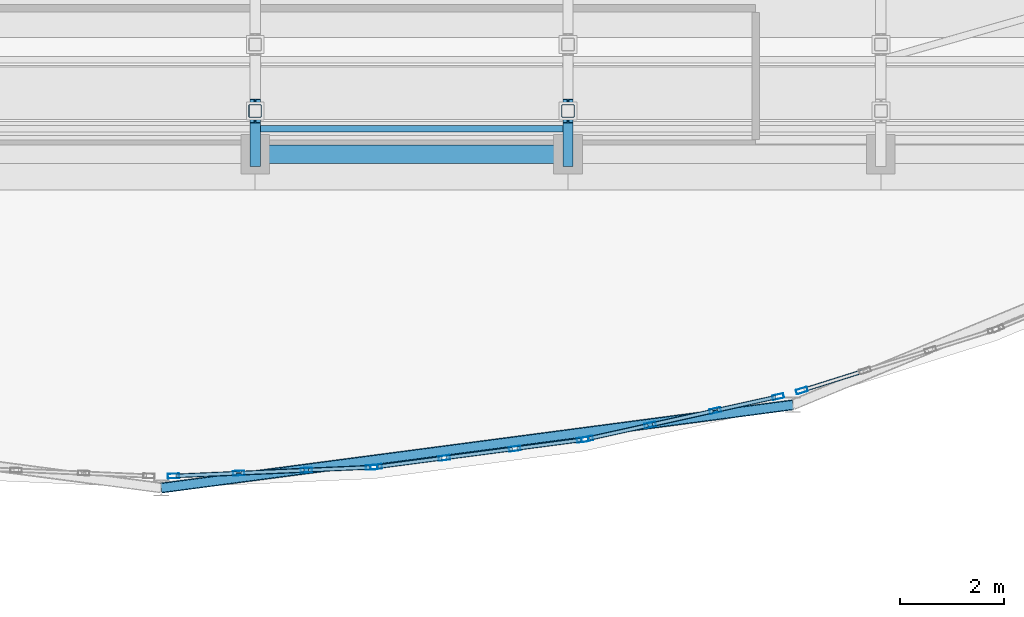
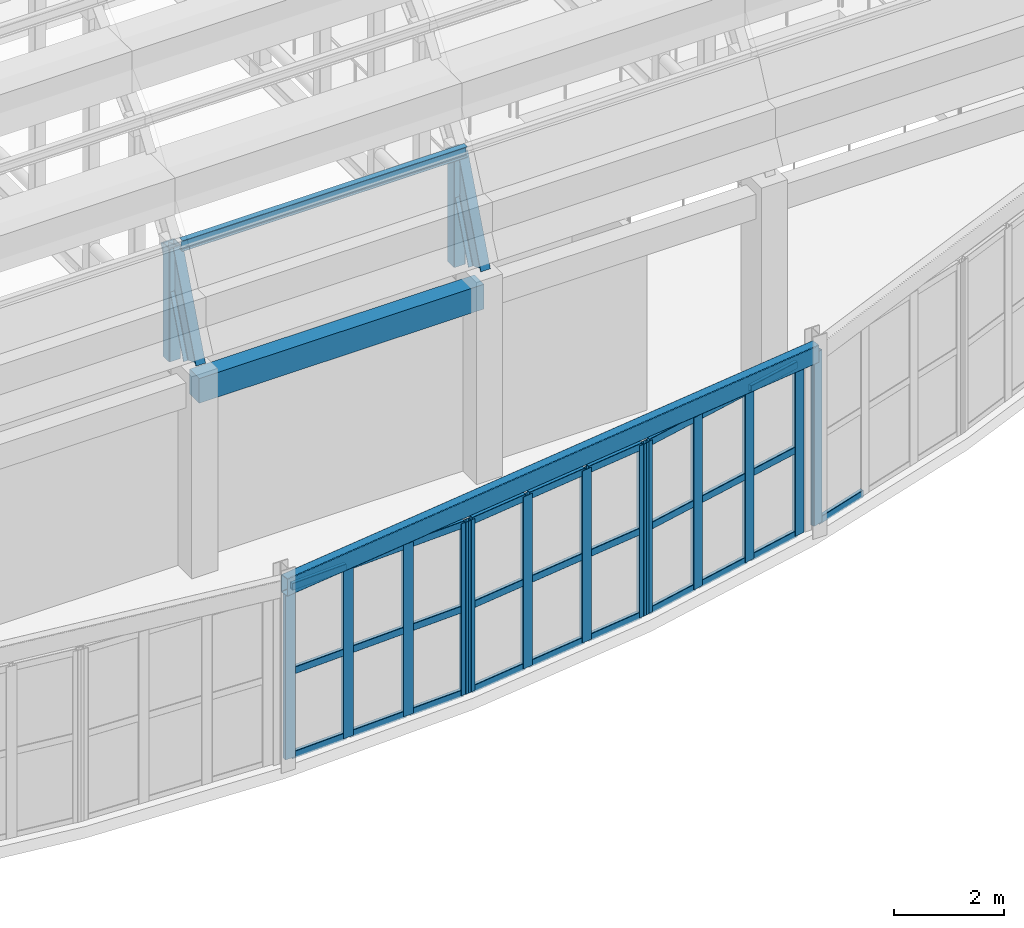
# One storey, part 10 of 91: 44 members, 4 beams, 4 elements without a shape of their own.
"""IFC4 building model written with IfcOpenShell, lengths in metres."""

from ifc_helpers import new_model, si_unit, direction, frame, origin, origin_2d, place, context, subcontext, project, spatial, rectangle, hollow_rectangle, i_section, extrude, material, layer, layer_set, material_profile, profile_set, type_object, element, aggregate, save


model = new_model("IFC4")

# Units and contexts
model_context = context("Model", 3, precision=1e-05, world=origin(), true_north=direction((0.0, 1.0)))
body_context = subcontext(model_context, "Body", "Model", "MODEL_VIEW")
ifc_project = project(units=[si_unit("LENGTHUNIT", "METRE"), si_unit("AREAUNIT", "SQUARE_METRE"), si_unit("VOLUMEUNIT", "CUBIC_METRE"), si_unit("PLANEANGLEUNIT", "RADIAN"), si_unit("MASSUNIT", "GRAM", prefix="KILO")], contexts=[model_context])

# Site, building, storey
site_placement = place(None, origin())
site = spatial("IfcSite", under=ifc_project, at=site_placement, CompositionType="ELEMENT")
building_placement = place(site_placement, origin())
building = spatial("IfcBuilding", under=site, at=building_placement, Name="Tarnavel Promenade Courthouse", CompositionType="ELEMENT")
storey_placement = place(building_placement, frame((0.0, 0.0, 9.89990234375)))
storey = spatial("IfcBuildingStorey", under=building, at=storey_placement, Name="L03", CompositionType="ELEMENT", Elevation=9.89990234375)

# Beams
ifc_material_1 = material(Name="Concrete C40/50", Category="concrete")
ifc_material_profile_1 = material_profile(ifc_material_1, rectangle(XDim=0.35009765625, YDim=0.550048828125, at=origin_2d()), Name="RC 350x550")
ifc_profile_set_1 = profile_set([ifc_material_profile_1], Name="Concrete C40/50")
beam_type_1 = type_object("IfcBeamType", Name="Concrete C40/50 BM-RC-350x550 (RC 350x550)", PredefinedType="BEAM", material=ifc_profile_set_1)
beam_1_placement = place(storey_placement, frame((33.60009765625, 14.800048828125, 3.97021484375), z_axis=(1.0, 0.0, 0.0), x_axis=(0.0, 1.0, 0.0)))
element("IfcBeam", 1, at=beam_1_placement, inside=storey, type_object=beam_type_1, Name="L03 Primary Longitudinal Beam 1537", PredefinedType="BEAM", context=body_context, shape_type="SweptSolid", body=[
    extrude(rectangle(XDim=0.35009765625, YDim=0.550048828125, at=origin_2d()), origin(), (0.0, 0.0, 1.0), 6.0),
])
ifc_material_2 = material(Name="Steel S355J2", Category="steel")
ifc_material_profile_2 = material_profile(ifc_material_2, i_section(OverallWidth=0.199951171875, OverallDepth=0.5, WebThickness=0.01025390625, FlangeThickness=0.01611328125, FilletRadius=0.02099609375, at=origin_2d()), Name="IPE 500")
ifc_profile_set_2 = profile_set([ifc_material_profile_2], Name="Steel S355J2")
beam_type_2 = type_object("IfcBeamType", Name="Steel S355J2 BM-AR-IPE500 (IPE 500)", PredefinedType="T_BEAM", material=ifc_profile_set_2)
for number, where, z_axis, x_axis, name in (
    (2, (33.60009765625, 14.800048828125, 4.5), (0.0, 0.359973594692, 0.93296249181), (-1.0, 0.0, 0.0), "V4 Barrel Vault Arch Rib 05 Chord 01"),
    (3, (39.60009765625, 14.800048828125, 4.5), (0.0, 0.359973594692, 0.93296249181), (-1.0, 0.0, 0.0), "V4 Barrel Vault Arch Rib 06 Chord 01"),
):
    element("IfcBeam", number, at=place(storey_placement, frame(where, z_axis=z_axis, x_axis=x_axis)), inside=storey, type_object=beam_type_2, Name=name, PredefinedType="T_BEAM", context=body_context, shape_type="SweptSolid", body=[
        extrude(i_section(OverallWidth=0.199951171875, OverallDepth=0.5, WebThickness=0.01025390625, FlangeThickness=0.01611328125, FilletRadius=0.02099609375, at=origin_2d()), origin(), (0.0, 0.0, 1.0), 2.302490234375),
    ])
ifc_material_profile_3 = material_profile(ifc_material_2, hollow_rectangle(XDim=0.199951171875, YDim=0.39990234375, WallThickness=0.01416015625, InnerFilletRadius=0.013916015625, OuterFilletRadius=0.028076171875, at=origin_2d()), Name="RHS 400x200x14.2")
ifc_profile_set_3 = profile_set([ifc_material_profile_3], Name="Steel S355J2")
beam_type_3 = type_object("IfcBeamType", Name="Steel S355J2 BM-ST-RHS400 (RHS 400x200x14.2)", PredefinedType="SPANDREL", material=ifc_profile_set_3)
beam_2_placement = place(storey_placement, frame((31.800048828125, 8.39990234375, 4.045166015625), z_axis=(0.991444021821, 0.130532569096, 0.0), x_axis=(-0.130532569096, 0.991444021821, 0.0)))
element("IfcBeam", 4, at=beam_2_placement, inside=storey, type_object=beam_type_3, Name="L03 Public Drum Ring Beam 1978", PredefinedType="SPANDREL", context=body_context, shape_type="SweptSolid", body=[
    extrude(hollow_rectangle(XDim=0.199951171875, YDim=0.39990234375, WallThickness=0.01416015625, InnerFilletRadius=0.013916015625, OuterFilletRadius=0.028076171875, at=origin_2d()), origin(), (0.0, 0.0, 1.0), 12.217041015625),
])

# Members
ifc_material_profile_4 = material_profile(ifc_material_2, i_section(OverallWidth=0.1201171875, OverallDepth=0.239990234375, WebThickness=0.006103515625, FlangeThickness=0.009765625, FilletRadius=0.014892578125, at=origin_2d()), Name="IPE 240")
ifc_profile_set_4 = profile_set([ifc_material_profile_4], Name="Steel S355J2")
member_type_1 = type_object("IfcMemberType", Name="Steel S355J2 MEM-PUR-IPE240 (IPE 240)", PredefinedType="PURLIN", material=ifc_profile_set_4)
member_1_placement = place(storey_placement, frame((33.60009765625, 15.291259765625, 6.822998046875), z_axis=(1.0, 0.0, 0.0), x_axis=(0.0, 1.0, 0.0)))
element("IfcMember", 5, at=member_1_placement, inside=storey, type_object=member_type_1, Name="V4 Barrel Vault Purlin 05-01", PredefinedType="PURLIN", context=body_context, shape_type="SweptSolid", body=[
    extrude(i_section(OverallWidth=0.1201171875, OverallDepth=0.239990234375, WebThickness=0.006103515625, FlangeThickness=0.009765625, FilletRadius=0.014892578125, at=origin_2d()), origin(), (0.0, 0.0, 1.0), 6.0),
])
ifc_material_profile_5 = material_profile(ifc_material_2, hollow_rectangle(XDim=0.25, YDim=0.25, WallThickness=0.012451171875, InnerFilletRadius=0.012451171875, OuterFilletRadius=0.02490234375, at=origin_2d()), Name="SHS 250x250x12.5")
ifc_profile_set_5 = profile_set([ifc_material_profile_5], Name="Steel S355J2")
member_type_2 = type_object("IfcMemberType", Name="Steel S355J2 MEM-STR-SHS250 (SHS 250x250x12.5)", PredefinedType="STRUT", material=ifc_profile_set_5)
for number, where, z_axis, x_axis, name in (
    (6, (33.60009765625, 15.62890625, 4.1201171875), (0.0, 0.0, 1.0), (1.0, 0.0, 0.0), "V4 Vault Arch Web Strut 05-01"),
    (7, (39.60009765625, 15.62890625, 4.1201171875), (0.0, 0.0, 1.0), (1.0, 0.0, 0.0), "V4 Vault Arch Web Strut 06-01"),
):
    element("IfcMember", number, at=place(storey_placement, frame(where, z_axis=z_axis, x_axis=x_axis)), inside=storey, type_object=member_type_2, Name=name, PredefinedType="STRUT", context=body_context, shape_type="SweptSolid", body=[
        extrude(hollow_rectangle(XDim=0.25, YDim=0.25, WallThickness=0.012451171875, InnerFilletRadius=0.012451171875, OuterFilletRadius=0.02490234375, at=origin_2d()), origin(), (0.0, 0.0, 1.0), 2.528076171875),
    ])

# Curtain wall, members
ifc_material_3 = material(Name="Thermally Broken Anodised Aluminium Curtain Wall System", Category="aluminium")
ifc_layer = layer(ifc_material_3, 0.219970703125)
ifc_layer_set = layer_set([ifc_layer], Name="Thermally Broken Anodised Aluminium Curtain Wall System")
curtain_wall_type = type_object("IfcCurtainWallType", Name="Thermally Broken Aluminium Triple-Glazed Curtain Wall CW-DRUM", PredefinedType="NOTDEFINED", material=ifc_layer_set)
curtain_wall_1_placement = place(storey_placement, origin())
curtain_wall_1 = element("IfcCurtainWall", 8, at=curtain_wall_1_placement, inside=storey, type_object=curtain_wall_type, Name="L03 Public Hall Drum Curtain Wall 033", PredefinedType="NOTDEFINED")
ifc_material_4 = material(Name="Thermally Broken Anodised Aluminium Frame", Category="aluminium")
ifc_material_profile_6 = material_profile(ifc_material_4, hollow_rectangle(XDim=0.090087890625, YDim=0.219970703125, WallThickness=0.0048828125, InnerFilletRadius=0.0048828125, OuterFilletRadius=0.010009765625, at=origin_2d()), Name="CWM 220x90x5")
ifc_profile_set_6 = profile_set([ifc_material_profile_6], Name="Thermally Broken Anodised Aluminium Frame")
member_type_3 = type_object("IfcMemberType", Name="Thermally Broken Anodised Aluminium CWM-175 (CWM 220x90x5)", PredefinedType="MULLION", material=ifc_profile_set_6)
member_2_placement = place(storey_placement, frame((32.03515625, 8.63037109375, 0.0), z_axis=(0.0, 0.0, 1.0), x_axis=(-0.04361861839, 0.999048255156, 0.0)))
member_2 = element("IfcMember", 9, at=member_2_placement, type_object=member_type_3, Name="CW-01 mullion 1", PredefinedType="MULLION", context=body_context, shape_type="SweptSolid", body=[
    extrude(hollow_rectangle(XDim=0.090087890625, YDim=0.219970703125, WallThickness=0.0048828125, InnerFilletRadius=0.0048828125, OuterFilletRadius=0.010009765625, at=origin_2d()), origin(), (0.0, 0.0, 1.0), 3.830078125),
])
member_3_placement = place(storey_placement, frame((33.286376953125, 8.684814453125, 0.0), z_axis=(0.0, 0.0, 1.0), x_axis=(-0.04361861839, 0.999048255156, 0.0)))
member_3 = element("IfcMember", 10, at=member_3_placement, type_object=member_type_3, Name="CW-01 mullion 2", PredefinedType="MULLION", context=body_context, shape_type="SweptSolid", body=[
    extrude(hollow_rectangle(XDim=0.090087890625, YDim=0.219970703125, WallThickness=0.0048828125, InnerFilletRadius=0.0048828125, OuterFilletRadius=0.010009765625, at=origin_2d()), origin(), (0.0, 0.0, 1.0), 3.830078125),
])
member_4_placement = place(storey_placement, frame((34.582763671875, 8.741455078125, 0.0), z_axis=(0.0, 0.0, 1.0), x_axis=(-0.04361861839, 0.999048255156, 0.0)))
member_4 = element("IfcMember", 11, at=member_4_placement, type_object=member_type_3, Name="CW-01 mullion 3", PredefinedType="MULLION", context=body_context, shape_type="SweptSolid", body=[
    extrude(hollow_rectangle(XDim=0.090087890625, YDim=0.219970703125, WallThickness=0.0048828125, InnerFilletRadius=0.0048828125, OuterFilletRadius=0.010009765625, at=origin_2d()), origin(), (0.0, 0.0, 1.0), 3.830078125),
])
member_5_placement = place(storey_placement, frame((35.833984375, 8.796142578125, 0.0), z_axis=(0.0, 0.0, 1.0), x_axis=(-0.04361861839, 0.999048255156, 0.0)))
member_5 = element("IfcMember", 12, at=member_5_placement, type_object=member_type_3, Name="CW-01 mullion 4", PredefinedType="MULLION", context=body_context, shape_type="SweptSolid", body=[
    extrude(hollow_rectangle(XDim=0.090087890625, YDim=0.219970703125, WallThickness=0.0048828125, InnerFilletRadius=0.0048828125, OuterFilletRadius=0.010009765625, at=origin_2d()), origin(), (0.0, 0.0, 1.0), 3.830078125),
])

curtain_wall_2_placement = place(storey_placement, origin())
curtain_wall_2 = element("IfcCurtainWall", 13, at=curtain_wall_2_placement, inside=storey, type_object=curtain_wall_type, Name="L03 Public Hall Drum Curtain Wall 034", PredefinedType="NOTDEFINED")
member_6_placement = place(storey_placement, frame((35.923583984375, 8.803955078125, 0.0), z_axis=(0.0, 0.0, 1.0), x_axis=(-0.130526297584, 0.991444847502, 0.0)))
member_6 = element("IfcMember", 14, at=member_6_placement, type_object=member_type_3, Name="CW-01 mullion 1", PredefinedType="MULLION", context=body_context, shape_type="SweptSolid", body=[
    extrude(hollow_rectangle(XDim=0.090087890625, YDim=0.219970703125, WallThickness=0.0048828125, InnerFilletRadius=0.0048828125, OuterFilletRadius=0.010009765625, at=origin_2d()), origin(), (0.0, 0.0, 1.0), 3.830078125),
])
member_7_placement = place(storey_placement, frame((37.228271484375, 8.975830078125, 0.0), z_axis=(0.0, 0.0, 1.0), x_axis=(-0.130526297584, 0.991444847502, 0.0)))
member_7 = element("IfcMember", 15, at=member_7_placement, type_object=member_type_3, Name="CW-01 mullion 2", PredefinedType="MULLION", context=body_context, shape_type="SweptSolid", body=[
    extrude(hollow_rectangle(XDim=0.090087890625, YDim=0.219970703125, WallThickness=0.0048828125, InnerFilletRadius=0.0048828125, OuterFilletRadius=0.010009765625, at=origin_2d()), origin(), (0.0, 0.0, 1.0), 3.830078125),
])
member_8_placement = place(storey_placement, frame((38.577392578125, 9.1533203125, 0.0), z_axis=(0.0, 0.0, 1.0), x_axis=(-0.130526297584, 0.991444847502, 0.0)))
member_8 = element("IfcMember", 16, at=member_8_placement, type_object=member_type_3, Name="CW-01 mullion 3", PredefinedType="MULLION", context=body_context, shape_type="SweptSolid", body=[
    extrude(hollow_rectangle(XDim=0.090087890625, YDim=0.219970703125, WallThickness=0.0048828125, InnerFilletRadius=0.0048828125, OuterFilletRadius=0.010009765625, at=origin_2d()), origin(), (0.0, 0.0, 1.0), 3.830078125),
])
member_9_placement = place(storey_placement, frame((39.882080078125, 9.3251953125, 0.0), z_axis=(0.0, 0.0, 1.0), x_axis=(-0.130526297584, 0.991444847502, 0.0)))
member_9 = element("IfcMember", 17, at=member_9_placement, type_object=member_type_3, Name="CW-01 mullion 4", PredefinedType="MULLION", context=body_context, shape_type="SweptSolid", body=[
    extrude(hollow_rectangle(XDim=0.090087890625, YDim=0.219970703125, WallThickness=0.0048828125, InnerFilletRadius=0.0048828125, OuterFilletRadius=0.010009765625, at=origin_2d()), origin(), (0.0, 0.0, 1.0), 3.830078125),
])

curtain_wall_3_placement = place(storey_placement, origin())
curtain_wall_3 = element("IfcCurtainWall", 18, at=curtain_wall_3_placement, inside=storey, type_object=curtain_wall_type, Name="L03 Public Hall Drum Curtain Wall 035", PredefinedType="NOTDEFINED")
member_10_placement = place(storey_placement, frame((39.970703125, 9.3408203125, 0.0), z_axis=(0.0, 0.0, 1.0), x_axis=(-0.216438721763, 0.97629620491, 0.0)))
member_10 = element("IfcMember", 19, at=member_10_placement, type_object=member_type_3, Name="CW-01 mullion 1", PredefinedType="MULLION", context=body_context, shape_type="SweptSolid", body=[
    extrude(hollow_rectangle(XDim=0.090087890625, YDim=0.219970703125, WallThickness=0.0048828125, InnerFilletRadius=0.0048828125, OuterFilletRadius=0.010009765625, at=origin_2d()), origin(), (0.0, 0.0, 1.0), 3.830078125),
])
member_11_placement = place(storey_placement, frame((41.1748046875, 9.607666015625, 0.0), z_axis=(0.0, 0.0, 1.0), x_axis=(-0.216438721763, 0.97629620491, 0.0)))
member_11 = element("IfcMember", 20, at=member_11_placement, type_object=member_type_3, Name="CW-01 mullion 2", PredefinedType="MULLION", context=body_context, shape_type="SweptSolid", body=[
    extrude(hollow_rectangle(XDim=0.090087890625, YDim=0.219970703125, WallThickness=0.0048828125, InnerFilletRadius=0.0048828125, OuterFilletRadius=0.010009765625, at=origin_2d()), origin(), (0.0, 0.0, 1.0), 3.830078125),
])
member_12_placement = place(storey_placement, frame((42.4228515625, 9.88427734375, 0.0), z_axis=(0.0, 0.0, 1.0), x_axis=(-0.216438721763, 0.97629620491, 0.0)))
member_12 = element("IfcMember", 21, at=member_12_placement, type_object=member_type_3, Name="CW-01 mullion 3", PredefinedType="MULLION", context=body_context, shape_type="SweptSolid", body=[
    extrude(hollow_rectangle(XDim=0.090087890625, YDim=0.219970703125, WallThickness=0.0048828125, InnerFilletRadius=0.0048828125, OuterFilletRadius=0.010009765625, at=origin_2d()), origin(), (0.0, 0.0, 1.0), 3.830078125),
])
member_13_placement = place(storey_placement, frame((43.626953125, 10.1513671875, 0.0), z_axis=(0.0, 0.0, 1.0), x_axis=(-0.216438721763, 0.97629620491, 0.0)))
member_13 = element("IfcMember", 22, at=member_13_placement, type_object=member_type_3, Name="CW-01 mullion 4", PredefinedType="MULLION", context=body_context, shape_type="SweptSolid", body=[
    extrude(hollow_rectangle(XDim=0.090087890625, YDim=0.219970703125, WallThickness=0.0048828125, InnerFilletRadius=0.0048828125, OuterFilletRadius=0.010009765625, at=origin_2d()), origin(), (0.0, 0.0, 1.0), 3.830078125),
])

# Curtain wall, member
curtain_wall_4_placement = place(storey_placement, origin())
curtain_wall_4 = element("IfcCurtainWall", 23, at=curtain_wall_4_placement, inside=storey, type_object=curtain_wall_type, Name="L03 Public Hall Drum Curtain Wall 036", PredefinedType="NOTDEFINED")
member_14_placement = place(storey_placement, frame((44.083251953125, 10.2685546875, 0.0), z_axis=(0.0, 0.0, 1.0), x_axis=(-0.300705340521, 0.953717095465, 0.0)))
member_14 = element("IfcMember", 24, at=member_14_placement, type_object=member_type_3, Name="CW-01 mullion 1", PredefinedType="MULLION", context=body_context, shape_type="SweptSolid", body=[
    extrude(hollow_rectangle(XDim=0.090087890625, YDim=0.219970703125, WallThickness=0.0048828125, InnerFilletRadius=0.0048828125, OuterFilletRadius=0.010009765625, at=origin_2d()), origin(), (0.0, 0.0, 1.0), 3.830078125),
])

# Member
ifc_material_profile_7 = material_profile(ifc_material_4, hollow_rectangle(XDim=0.080078125, YDim=0.159912109375, WallThickness=0.0048828125, InnerFilletRadius=0.0048828125, OuterFilletRadius=0.010009765625, at=origin_2d()), Name="CWT 160x80x5")
ifc_profile_set_7 = profile_set([ifc_material_profile_7], Name="Thermally Broken Anodised Aluminium Frame")
member_type_4 = type_object("IfcMemberType", Name="Thermally Broken Anodised Aluminium CWT-145 (CWT 160x80x5)", PredefinedType="USERDEFINED", material=ifc_profile_set_7)
member_15_placement = place(storey_placement, frame((32.080078125, 8.63232421875, 0.0400390625), z_axis=(0.99905457265, 0.043473680164, 0.0), x_axis=(-0.043473680164, 0.99905457265, 0.0)))
member_15 = element("IfcMember", 25, at=member_15_placement, type_object=member_type_4, Name="CW-01 transom 1.1", ObjectType="TRANSOM", PredefinedType="USERDEFINED", context=body_context, shape_type="SweptSolid", body=[
    extrude(hollow_rectangle(XDim=0.080078125, YDim=0.159912109375, WallThickness=0.0048828125, InnerFilletRadius=0.0048828125, OuterFilletRadius=0.010009765625, at=origin_2d()), origin(), (0.0, 0.0, 1.0), 1.16259765625),
])

member_16_placement = place(storey_placement, frame((32.080078125, 8.63232421875, 1.9150390625), z_axis=(0.99905457265, 0.043473680164, 0.0), x_axis=(-0.043473680164, 0.99905457265, 0.0)))
member_16 = element("IfcMember", 26, at=member_16_placement, type_object=member_type_4, Name="CW-01 transom 1.2", ObjectType="TRANSOM", PredefinedType="USERDEFINED", context=body_context, shape_type="SweptSolid", body=[
    extrude(hollow_rectangle(XDim=0.080078125, YDim=0.159912109375, WallThickness=0.0048828125, InnerFilletRadius=0.0048828125, OuterFilletRadius=0.010009765625, at=origin_2d()), origin(), (0.0, 0.0, 1.0), 1.16259765625),
])

member_17_placement = place(storey_placement, frame((32.080078125, 8.63232421875, 3.7900390625), z_axis=(0.99905457265, 0.043473680164, 0.0), x_axis=(-0.043473680164, 0.99905457265, 0.0)))
member_17 = element("IfcMember", 27, at=member_17_placement, type_object=member_type_4, Name="CW-01 transom 1.3", ObjectType="TRANSOM", PredefinedType="USERDEFINED", context=body_context, shape_type="SweptSolid", body=[
    extrude(hollow_rectangle(XDim=0.080078125, YDim=0.159912109375, WallThickness=0.0048828125, InnerFilletRadius=0.0048828125, OuterFilletRadius=0.010009765625, at=origin_2d()), origin(), (0.0, 0.0, 1.0), 1.16259765625),
])

member_18_placement = place(storey_placement, frame((33.331298828125, 8.686767578125, 0.0400390625), z_axis=(0.999045829762, 0.043674134634, 0.0), x_axis=(-0.043674134634, 0.999045829762, 0.0)))
member_18 = element("IfcMember", 28, at=member_18_placement, type_object=member_type_4, Name="CW-01 transom 2.1", ObjectType="TRANSOM", PredefinedType="USERDEFINED", context=body_context, shape_type="SweptSolid", body=[
    extrude(hollow_rectangle(XDim=0.080078125, YDim=0.159912109375, WallThickness=0.0048828125, InnerFilletRadius=0.0048828125, OuterFilletRadius=0.010009765625, at=origin_2d()), origin(), (0.0, 0.0, 1.0), 1.20751953125),
])

member_19_placement = place(storey_placement, frame((33.331298828125, 8.686767578125, 1.9150390625), z_axis=(0.999045829762, 0.043674134634, 0.0), x_axis=(-0.043674134634, 0.999045829762, 0.0)))
member_19 = element("IfcMember", 29, at=member_19_placement, type_object=member_type_4, Name="CW-01 transom 2.2", ObjectType="TRANSOM", PredefinedType="USERDEFINED", context=body_context, shape_type="SweptSolid", body=[
    extrude(hollow_rectangle(XDim=0.080078125, YDim=0.159912109375, WallThickness=0.0048828125, InnerFilletRadius=0.0048828125, OuterFilletRadius=0.010009765625, at=origin_2d()), origin(), (0.0, 0.0, 1.0), 1.20751953125),
])

member_20_placement = place(storey_placement, frame((33.331298828125, 8.686767578125, 3.7900390625), z_axis=(0.999045829762, 0.043674134634, 0.0), x_axis=(-0.043674134634, 0.999045829762, 0.0)))
member_20 = element("IfcMember", 30, at=member_20_placement, type_object=member_type_4, Name="CW-01 transom 2.3", ObjectType="TRANSOM", PredefinedType="USERDEFINED", context=body_context, shape_type="SweptSolid", body=[
    extrude(hollow_rectangle(XDim=0.080078125, YDim=0.159912109375, WallThickness=0.0048828125, InnerFilletRadius=0.0048828125, OuterFilletRadius=0.010009765625, at=origin_2d()), origin(), (0.0, 0.0, 1.0), 1.20751953125),
])

member_21_placement = place(storey_placement, frame((34.627685546875, 8.743408203125, 0.0400390625), z_axis=(0.999045429129, 0.043683298141, 0.0), x_axis=(-0.043683298141, 0.999045429129, 0.0)))
member_21 = element("IfcMember", 31, at=member_21_placement, type_object=member_type_4, Name="CW-01 transom 3.1", ObjectType="TRANSOM", PredefinedType="USERDEFINED", context=body_context, shape_type="SweptSolid", body=[
    extrude(hollow_rectangle(XDim=0.080078125, YDim=0.159912109375, WallThickness=0.0048828125, InnerFilletRadius=0.0048828125, OuterFilletRadius=0.010009765625, at=origin_2d()), origin(), (0.0, 0.0, 1.0), 1.16259765625),
])

member_22_placement = place(storey_placement, frame((34.627685546875, 8.743408203125, 1.9150390625), z_axis=(0.999045429129, 0.043683298141, 0.0), x_axis=(-0.043683298141, 0.999045429129, 0.0)))
member_22 = element("IfcMember", 32, at=member_22_placement, type_object=member_type_4, Name="CW-01 transom 3.2", ObjectType="TRANSOM", PredefinedType="USERDEFINED", context=body_context, shape_type="SweptSolid", body=[
    extrude(hollow_rectangle(XDim=0.080078125, YDim=0.159912109375, WallThickness=0.0048828125, InnerFilletRadius=0.0048828125, OuterFilletRadius=0.010009765625, at=origin_2d()), origin(), (0.0, 0.0, 1.0), 1.16259765625),
])

member_23_placement = place(storey_placement, frame((34.627685546875, 8.743408203125, 3.7900390625), z_axis=(0.999045429129, 0.043683298141, 0.0), x_axis=(-0.043683298141, 0.999045429129, 0.0)))
member_23 = element("IfcMember", 33, at=member_23_placement, type_object=member_type_4, Name="CW-01 transom 3.3", ObjectType="TRANSOM", PredefinedType="USERDEFINED", context=body_context, shape_type="SweptSolid", body=[
    extrude(hollow_rectangle(XDim=0.080078125, YDim=0.159912109375, WallThickness=0.0048828125, InnerFilletRadius=0.0048828125, OuterFilletRadius=0.010009765625, at=origin_2d()), origin(), (0.0, 0.0, 1.0), 1.16259765625),
])

aggregate(curtain_wall_1, [member_2, member_3, member_4, member_5, member_15, member_16, member_17, member_18, member_19, member_20, member_21, member_22, member_23])

member_24_placement = place(storey_placement, frame((35.968017578125, 8.809814453125, 0.0400390625), z_axis=(0.99143191525, 0.130624490139, 0.0), x_axis=(-0.130624490139, 0.99143191525, 0.0)))
member_24 = element("IfcMember", 34, at=member_24_placement, type_object=member_type_4, Name="CW-01 transom 1.1", ObjectType="TRANSOM", PredefinedType="USERDEFINED", context=body_context, shape_type="SweptSolid", body=[
    extrude(hollow_rectangle(XDim=0.080078125, YDim=0.159912109375, WallThickness=0.0048828125, InnerFilletRadius=0.0048828125, OuterFilletRadius=0.010009765625, at=origin_2d()), origin(), (0.0, 0.0, 1.0), 1.22607421875),
])

member_25_placement = place(storey_placement, frame((35.968017578125, 8.809814453125, 1.9150390625), z_axis=(0.99143191525, 0.130624490139, 0.0), x_axis=(-0.130624490139, 0.99143191525, 0.0)))
member_25 = element("IfcMember", 35, at=member_25_placement, type_object=member_type_4, Name="CW-01 transom 1.2", ObjectType="TRANSOM", PredefinedType="USERDEFINED", context=body_context, shape_type="SweptSolid", body=[
    extrude(hollow_rectangle(XDim=0.080078125, YDim=0.159912109375, WallThickness=0.0048828125, InnerFilletRadius=0.0048828125, OuterFilletRadius=0.010009765625, at=origin_2d()), origin(), (0.0, 0.0, 1.0), 1.22607421875),
])

member_26_placement = place(storey_placement, frame((35.968017578125, 8.809814453125, 3.7900390625), z_axis=(0.99143191525, 0.130624490139, 0.0), x_axis=(-0.130624490139, 0.99143191525, 0.0)))
member_26 = element("IfcMember", 36, at=member_26_placement, type_object=member_type_4, Name="CW-01 transom 1.3", ObjectType="TRANSOM", PredefinedType="USERDEFINED", context=body_context, shape_type="SweptSolid", body=[
    extrude(hollow_rectangle(XDim=0.080078125, YDim=0.159912109375, WallThickness=0.0048828125, InnerFilletRadius=0.0048828125, OuterFilletRadius=0.010009765625, at=origin_2d()), origin(), (0.0, 0.0, 1.0), 1.22607421875),
])

member_27_placement = place(storey_placement, frame((37.272705078125, 8.981689453125, 0.0400390625), z_axis=(0.991459524667, 0.130414765062, 0.0), x_axis=(-0.130414765062, 0.991459524667, 0.0)))
member_27 = element("IfcMember", 37, at=member_27_placement, type_object=member_type_4, Name="CW-01 transom 2.1", ObjectType="TRANSOM", PredefinedType="USERDEFINED", context=body_context, shape_type="SweptSolid", body=[
    extrude(hollow_rectangle(XDim=0.080078125, YDim=0.159912109375, WallThickness=0.0048828125, InnerFilletRadius=0.0048828125, OuterFilletRadius=0.010009765625, at=origin_2d()), origin(), (0.0, 0.0, 1.0), 1.27099609375),
])

member_28_placement = place(storey_placement, frame((37.272705078125, 8.981689453125, 1.9150390625), z_axis=(0.991459524667, 0.130414765062, 0.0), x_axis=(-0.130414765062, 0.991459524667, 0.0)))
member_28 = element("IfcMember", 38, at=member_28_placement, type_object=member_type_4, Name="CW-01 transom 2.2", ObjectType="TRANSOM", PredefinedType="USERDEFINED", context=body_context, shape_type="SweptSolid", body=[
    extrude(hollow_rectangle(XDim=0.080078125, YDim=0.159912109375, WallThickness=0.0048828125, InnerFilletRadius=0.0048828125, OuterFilletRadius=0.010009765625, at=origin_2d()), origin(), (0.0, 0.0, 1.0), 1.27099609375),
])

member_29_placement = place(storey_placement, frame((37.272705078125, 8.981689453125, 3.7900390625), z_axis=(0.991459524667, 0.130414765062, 0.0), x_axis=(-0.130414765062, 0.991459524667, 0.0)))
member_29 = element("IfcMember", 39, at=member_29_placement, type_object=member_type_4, Name="CW-01 transom 2.3", ObjectType="TRANSOM", PredefinedType="USERDEFINED", context=body_context, shape_type="SweptSolid", body=[
    extrude(hollow_rectangle(XDim=0.080078125, YDim=0.159912109375, WallThickness=0.0048828125, InnerFilletRadius=0.0048828125, OuterFilletRadius=0.010009765625, at=origin_2d()), origin(), (0.0, 0.0, 1.0), 1.27099609375),
])

member_30_placement = place(storey_placement, frame((38.6220703125, 9.1591796875, 0.0400390625), z_axis=(0.991428516661, 0.13065028263, 0.0), x_axis=(-0.13065028263, 0.991428516661, 0.0)))
member_30 = element("IfcMember", 40, at=member_30_placement, type_object=member_type_4, Name="CW-01 transom 3.1", ObjectType="TRANSOM", PredefinedType="USERDEFINED", context=body_context, shape_type="SweptSolid", body=[
    extrude(hollow_rectangle(XDim=0.080078125, YDim=0.159912109375, WallThickness=0.0048828125, InnerFilletRadius=0.0048828125, OuterFilletRadius=0.010009765625, at=origin_2d()), origin(), (0.0, 0.0, 1.0), 1.225830078125),
])

member_31_placement = place(storey_placement, frame((38.6220703125, 9.1591796875, 1.9150390625), z_axis=(0.991428516661, 0.13065028263, 0.0), x_axis=(-0.13065028263, 0.991428516661, 0.0)))
member_31 = element("IfcMember", 41, at=member_31_placement, type_object=member_type_4, Name="CW-01 transom 3.2", ObjectType="TRANSOM", PredefinedType="USERDEFINED", context=body_context, shape_type="SweptSolid", body=[
    extrude(hollow_rectangle(XDim=0.080078125, YDim=0.159912109375, WallThickness=0.0048828125, InnerFilletRadius=0.0048828125, OuterFilletRadius=0.010009765625, at=origin_2d()), origin(), (0.0, 0.0, 1.0), 1.225830078125),
])

member_32_placement = place(storey_placement, frame((38.6220703125, 9.1591796875, 3.7900390625), z_axis=(0.991428516661, 0.13065028263, 0.0), x_axis=(-0.13065028263, 0.991428516661, 0.0)))
member_32 = element("IfcMember", 42, at=member_32_placement, type_object=member_type_4, Name="CW-01 transom 3.3", ObjectType="TRANSOM", PredefinedType="USERDEFINED", context=body_context, shape_type="SweptSolid", body=[
    extrude(hollow_rectangle(XDim=0.080078125, YDim=0.159912109375, WallThickness=0.0048828125, InnerFilletRadius=0.0048828125, OuterFilletRadius=0.010009765625, at=origin_2d()), origin(), (0.0, 0.0, 1.0), 1.225830078125),
])

aggregate(curtain_wall_2, [member_6, member_7, member_8, member_9, member_24, member_25, member_26, member_27, member_28, member_29, member_30, member_31, member_32])

member_33_placement = place(storey_placement, frame((40.0146484375, 9.3505859375, 0.0400390625), z_axis=(0.976322532452, 0.216319931184, 0.0), x_axis=(-0.216319931184, 0.976322532452, 0.0)))
member_33 = element("IfcMember", 43, at=member_33_placement, type_object=member_type_4, Name="CW-01 transom 1.1", ObjectType="TRANSOM", PredefinedType="USERDEFINED", context=body_context, shape_type="SweptSolid", body=[
    extrude(hollow_rectangle(XDim=0.080078125, YDim=0.159912109375, WallThickness=0.0048828125, InnerFilletRadius=0.0048828125, OuterFilletRadius=0.010009765625, at=origin_2d()), origin(), (0.0, 0.0, 1.0), 1.143310546875),
])

member_34_placement = place(storey_placement, frame((40.0146484375, 9.3505859375, 1.9150390625), z_axis=(0.976322532452, 0.216319931184, 0.0), x_axis=(-0.216319931184, 0.976322532452, 0.0)))
member_34 = element("IfcMember", 44, at=member_34_placement, type_object=member_type_4, Name="CW-01 transom 1.2", ObjectType="TRANSOM", PredefinedType="USERDEFINED", context=body_context, shape_type="SweptSolid", body=[
    extrude(hollow_rectangle(XDim=0.080078125, YDim=0.159912109375, WallThickness=0.0048828125, InnerFilletRadius=0.0048828125, OuterFilletRadius=0.010009765625, at=origin_2d()), origin(), (0.0, 0.0, 1.0), 1.143310546875),
])

member_35_placement = place(storey_placement, frame((40.0146484375, 9.3505859375, 3.7900390625), z_axis=(0.976322532452, 0.216319931184, 0.0), x_axis=(-0.216319931184, 0.976322532452, 0.0)))
member_35 = element("IfcMember", 45, at=member_35_placement, type_object=member_type_4, Name="CW-01 transom 1.3", ObjectType="TRANSOM", PredefinedType="USERDEFINED", context=body_context, shape_type="SweptSolid", body=[
    extrude(hollow_rectangle(XDim=0.080078125, YDim=0.159912109375, WallThickness=0.0048828125, InnerFilletRadius=0.0048828125, OuterFilletRadius=0.010009765625, at=origin_2d()), origin(), (0.0, 0.0, 1.0), 1.143310546875),
])

member_36_placement = place(storey_placement, frame((41.21875, 9.617431640625, 0.0400390625), z_axis=(0.976273993599, 0.216538886627, 0.0), x_axis=(-0.216538886627, 0.976273993599, 0.0)))
member_36 = element("IfcMember", 46, at=member_36_placement, type_object=member_type_4, Name="CW-01 transom 2.1", ObjectType="TRANSOM", PredefinedType="USERDEFINED", context=body_context, shape_type="SweptSolid", body=[
    extrude(hollow_rectangle(XDim=0.080078125, YDim=0.159912109375, WallThickness=0.0048828125, InnerFilletRadius=0.0048828125, OuterFilletRadius=0.010009765625, at=origin_2d()), origin(), (0.0, 0.0, 1.0), 1.188232421875),
])

member_37_placement = place(storey_placement, frame((41.21875, 9.617431640625, 1.9150390625), z_axis=(0.976273993599, 0.216538886627, 0.0), x_axis=(-0.216538886627, 0.976273993599, 0.0)))
member_37 = element("IfcMember", 47, at=member_37_placement, type_object=member_type_4, Name="CW-01 transom 2.2", ObjectType="TRANSOM", PredefinedType="USERDEFINED", context=body_context, shape_type="SweptSolid", body=[
    extrude(hollow_rectangle(XDim=0.080078125, YDim=0.159912109375, WallThickness=0.0048828125, InnerFilletRadius=0.0048828125, OuterFilletRadius=0.010009765625, at=origin_2d()), origin(), (0.0, 0.0, 1.0), 1.188232421875),
])

member_38_placement = place(storey_placement, frame((41.21875, 9.617431640625, 3.7900390625), z_axis=(0.976273993599, 0.216538886627, 0.0), x_axis=(-0.216538886627, 0.976273993599, 0.0)))
member_38 = element("IfcMember", 48, at=member_38_placement, type_object=member_type_4, Name="CW-01 transom 2.3", ObjectType="TRANSOM", PredefinedType="USERDEFINED", context=body_context, shape_type="SweptSolid", body=[
    extrude(hollow_rectangle(XDim=0.080078125, YDim=0.159912109375, WallThickness=0.0048828125, InnerFilletRadius=0.0048828125, OuterFilletRadius=0.010009765625, at=origin_2d()), origin(), (0.0, 0.0, 1.0), 1.188232421875),
])

member_39_placement = place(storey_placement, frame((42.466796875, 9.89404296875, 0.0400390625), z_axis=(0.976277413277, 0.216523468299, 0.0), x_axis=(-0.216523468299, 0.976277413277, 0.0)))
member_39 = element("IfcMember", 49, at=member_39_placement, type_object=member_type_4, Name="CW-01 transom 3.1", ObjectType="TRANSOM", PredefinedType="USERDEFINED", context=body_context, shape_type="SweptSolid", body=[
    extrude(hollow_rectangle(XDim=0.080078125, YDim=0.159912109375, WallThickness=0.0048828125, InnerFilletRadius=0.0048828125, OuterFilletRadius=0.010009765625, at=origin_2d()), origin(), (0.0, 0.0, 1.0), 1.143310546875),
])

member_40_placement = place(storey_placement, frame((42.466796875, 9.89404296875, 1.9150390625), z_axis=(0.976277413277, 0.216523468299, 0.0), x_axis=(-0.216523468299, 0.976277413277, 0.0)))
member_40 = element("IfcMember", 50, at=member_40_placement, type_object=member_type_4, Name="CW-01 transom 3.2", ObjectType="TRANSOM", PredefinedType="USERDEFINED", context=body_context, shape_type="SweptSolid", body=[
    extrude(hollow_rectangle(XDim=0.080078125, YDim=0.159912109375, WallThickness=0.0048828125, InnerFilletRadius=0.0048828125, OuterFilletRadius=0.010009765625, at=origin_2d()), origin(), (0.0, 0.0, 1.0), 1.143310546875),
])

member_41_placement = place(storey_placement, frame((42.466796875, 9.89404296875, 3.7900390625), z_axis=(0.976277413277, 0.216523468299, 0.0), x_axis=(-0.216523468299, 0.976277413277, 0.0)))
member_41 = element("IfcMember", 51, at=member_41_placement, type_object=member_type_4, Name="CW-01 transom 3.3", ObjectType="TRANSOM", PredefinedType="USERDEFINED", context=body_context, shape_type="SweptSolid", body=[
    extrude(hollow_rectangle(XDim=0.080078125, YDim=0.159912109375, WallThickness=0.0048828125, InnerFilletRadius=0.0048828125, OuterFilletRadius=0.010009765625, at=origin_2d()), origin(), (0.0, 0.0, 1.0), 1.143310546875),
])

aggregate(curtain_wall_3, [member_10, member_11, member_12, member_13, member_33, member_34, member_35, member_36, member_37, member_38, member_39, member_40, member_41])

member_42_placement = place(storey_placement, frame((44.126220703125, 10.281982421875, 0.0400390625), z_axis=(0.953723109008, 0.300686267304, 0.0), x_axis=(-0.300686267304, 0.953723109008, 0.0)))
member_42 = element("IfcMember", 52, at=member_42_placement, type_object=member_type_4, Name="CW-01 transom 1.1", ObjectType="TRANSOM", PredefinedType="USERDEFINED", context=body_context, shape_type="SweptSolid", body=[
    extrude(hollow_rectangle(XDim=0.080078125, YDim=0.159912109375, WallThickness=0.0048828125, InnerFilletRadius=0.0048828125, OuterFilletRadius=0.010009765625, at=origin_2d()), origin(), (0.0, 0.0, 1.0), 1.181396484375),
])

aggregate(curtain_wall_4, [member_14, member_42])

save(model, "model.ifc")
